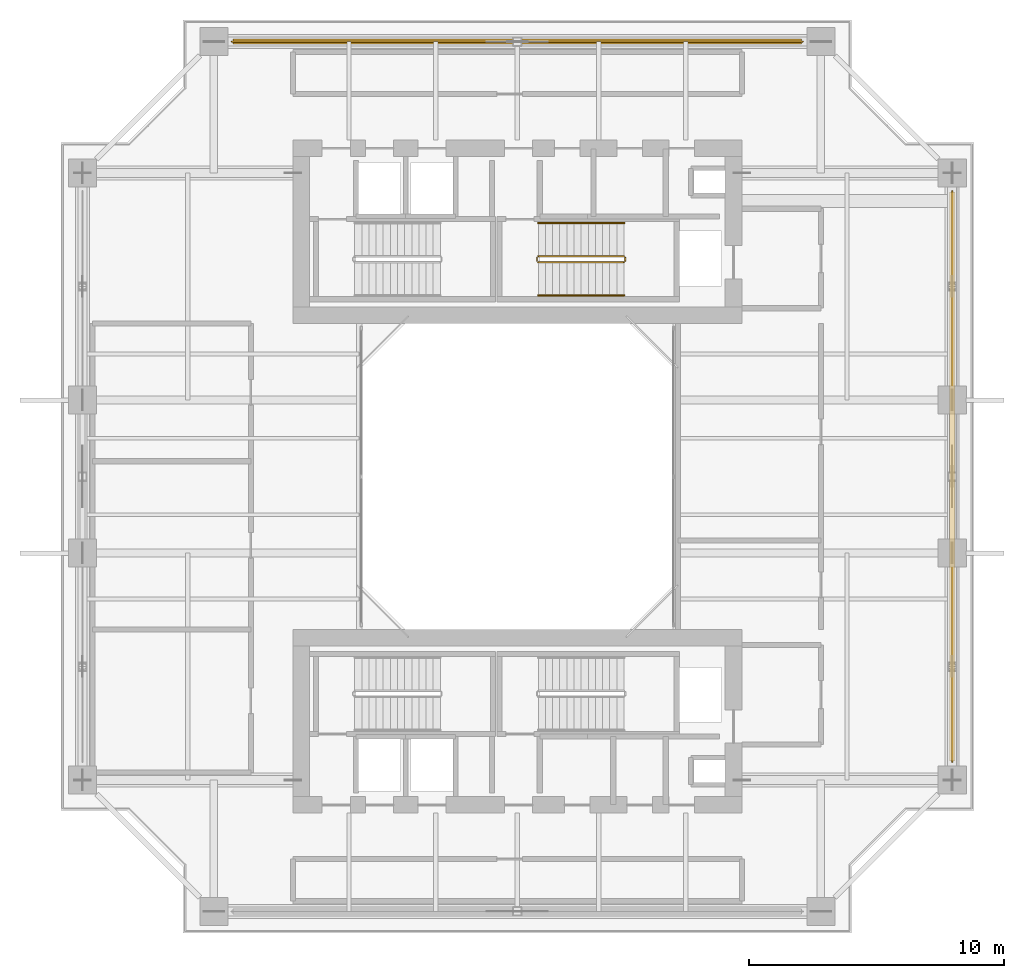
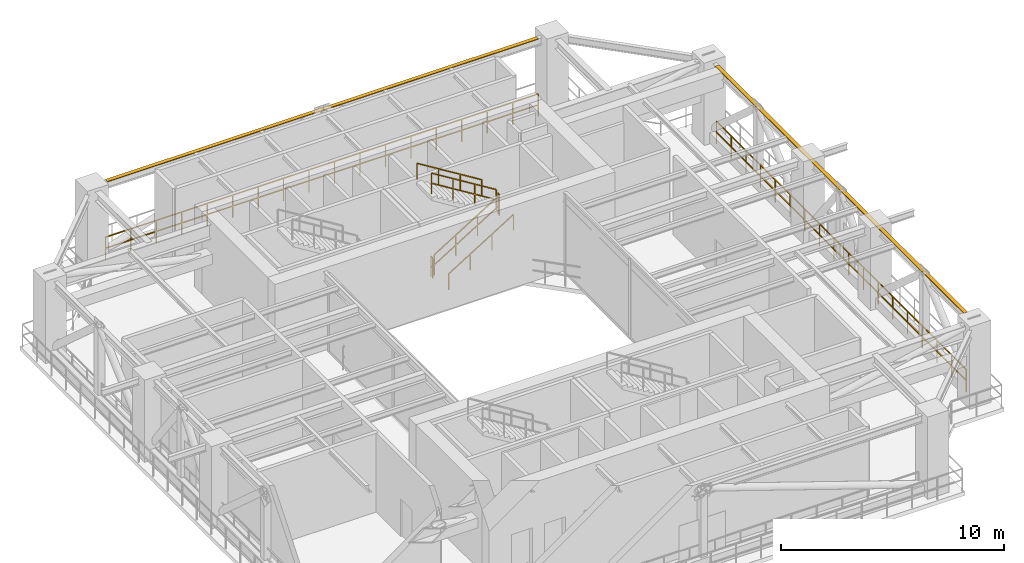
# One storey, part 11 of 11: 8 railings, 2 shading devices.
"""IFC4 building model written with IfcOpenShell, lengths in metres."""

from ifc_helpers import new_model, si_unit, direction, frame, origin, origin_2d, place, context, subcontext, project, spatial, rectangle, extrude, source, transform, mapped, material, material_profile, profile_set, type_object, element, save


model = new_model("IFC4")

# Units and contexts
model_context = context("Model", 3, precision=1e-05, world=origin(), true_north=direction((0.0, 1.0)))
body_context = subcontext(model_context, "Body", "Model", "MODEL_VIEW")
ifc_project = project(units=[si_unit("LENGTHUNIT", "METRE"), si_unit("AREAUNIT", "SQUARE_METRE"), si_unit("VOLUMEUNIT", "CUBIC_METRE"), si_unit("PLANEANGLEUNIT", "RADIAN"), si_unit("MASSUNIT", "GRAM", prefix="KILO"), si_unit("THERMODYNAMICTEMPERATUREUNIT", "KELVIN"), si_unit("POWERUNIT", "WATT")], contexts=[model_context])

# Site, building, storey
site_placement = place(None, origin())
site = spatial("IfcSite", under=ifc_project, at=site_placement, CompositionType="ELEMENT")
building_placement = place(site_placement, origin())
building = spatial("IfcBuilding", under=site, at=building_placement, Name="Qiaomeng Ring Towers", CompositionType="ELEMENT")
storey_placement = place(building_placement, frame((0.0, 0.0, 139.25)))
storey = spatial("IfcBuildingStorey", under=building, at=storey_placement, Name="L40", CompositionType="ELEMENT", Elevation=139.25)

# Railings
ifc_material_1 = material(Name="Stainless steel 316", Category="steel")
railing_type_1 = type_object("IfcRailingType", Name="ARC-RL-BAL2", PredefinedType="BALUSTRADE", material=ifc_material_1)
railing_1_placement = place(storey_placement, frame((30.199951171875, 40.050048828125, 0.0)))
element("IfcRailing", 1, at=railing_1_placement, inside=storey, type_object=railing_type_1, Name="L40 Open Refuge Band Perimeter Guard N", PredefinedType="BALUSTRADE", context=body_context, shape_type="SweptSolid", body=[
    extrude(rectangle(XDim=0.048095703125, YDim=0.048095703125, at=origin_2d()), frame((0.0, 0.0, 1.22607421875), z_axis=(-1.0, 0.0, 0.0), x_axis=(0.0, -1.0, 0.0)), (0.0, 0.0, 1.0), 22.39990234375),
    extrude(rectangle(XDim=0.048095703125, YDim=0.048095703125, at=origin_2d()), frame((0.0, 0.0, 0.625), z_axis=(-1.0, 0.0, 0.0), x_axis=(0.0, -1.0, 0.0)), (0.0, 0.0, 1.0), 22.39990234375),
    extrude(rectangle(XDim=0.0419921875, YDim=0.0419921875, at=origin_2d()), origin(), (0.0, 0.0, 1.0), 1.201904296875),
    extrude(rectangle(XDim=0.0419921875, YDim=0.0419921875, at=origin_2d()), frame((-1.317626953125, 0.0, 0.0)), (0.0, 0.0, 1.0), 1.201904296875),
    extrude(rectangle(XDim=0.0419921875, YDim=0.0419921875, at=origin_2d()), frame((-2.63525390625, 0.0, 0.0)), (0.0, 0.0, 1.0), 1.201904296875),
    extrude(rectangle(XDim=0.0419921875, YDim=0.0419921875, at=origin_2d()), frame((-3.952880859375, 0.0, 0.0)), (0.0, 0.0, 1.0), 1.201904296875),
    extrude(rectangle(XDim=0.0419921875, YDim=0.0419921875, at=origin_2d()), frame((-5.2705078125, 0.0, 0.0)), (0.0, 0.0, 1.0), 1.201904296875),
    extrude(rectangle(XDim=0.0419921875, YDim=0.0419921875, at=origin_2d()), frame((-6.588134765625, 0.0, 0.0)), (0.0, 0.0, 1.0), 1.201904296875),
    extrude(rectangle(XDim=0.0419921875, YDim=0.0419921875, at=origin_2d()), frame((-7.90576171875, 0.0, 0.0)), (0.0, 0.0, 1.0), 1.201904296875),
    extrude(rectangle(XDim=0.0419921875, YDim=0.0419921875, at=origin_2d()), frame((-9.223388671875, 0.0, 0.0)), (0.0, 0.0, 1.0), 1.201904296875),
    extrude(rectangle(XDim=0.0419921875, YDim=0.0419921875, at=origin_2d()), frame((-10.541015625, 0.0, 0.0)), (0.0, 0.0, 1.0), 1.201904296875),
    extrude(rectangle(XDim=0.0419921875, YDim=0.0419921875, at=origin_2d()), frame((-11.85888671875, 0.0, 0.0)), (0.0, 0.0, 1.0), 1.201904296875),
    extrude(rectangle(XDim=0.0419921875, YDim=0.0419921875, at=origin_2d()), frame((-13.176513671875, 0.0, 0.0)), (0.0, 0.0, 1.0), 1.201904296875),
    extrude(rectangle(XDim=0.0419921875, YDim=0.0419921875, at=origin_2d()), frame((-14.494140625, 0.0, 0.0)), (0.0, 0.0, 1.0), 1.201904296875),
    extrude(rectangle(XDim=0.0419921875, YDim=0.0419921875, at=origin_2d()), frame((-15.811767578125, 0.0, 0.0)), (0.0, 0.0, 1.0), 1.201904296875),
    extrude(rectangle(XDim=0.0419921875, YDim=0.0419921875, at=origin_2d()), frame((-17.12939453125, 0.0, 0.0)), (0.0, 0.0, 1.0), 1.201904296875),
    extrude(rectangle(XDim=0.0419921875, YDim=0.0419921875, at=origin_2d()), frame((-18.447021484375, 0.0, 0.0)), (0.0, 0.0, 1.0), 1.201904296875),
    extrude(rectangle(XDim=0.0419921875, YDim=0.0419921875, at=origin_2d()), frame((-19.7646484375, 0.0, 0.0)), (0.0, 0.0, 1.0), 1.201904296875),
    extrude(rectangle(XDim=0.0419921875, YDim=0.0419921875, at=origin_2d()), frame((-21.082275390625, 0.0, 0.0)), (0.0, 0.0, 1.0), 1.201904296875),
    extrude(rectangle(XDim=0.0419921875, YDim=0.0419921875, at=origin_2d()), frame((-22.39990234375, 0.0, 0.0)), (0.0, 0.0, 1.0), 1.201904296875),
])
railing_2_placement = place(storey_placement, frame((36.050048828125, 11.800048828125, 0.0)))
element("IfcRailing", 2, at=railing_2_placement, inside=storey, type_object=railing_type_1, Name="L40 Open Refuge Band Perimeter Guard E", PredefinedType="BALUSTRADE", context=body_context, shape_type="SweptSolid", body=[
    extrude(rectangle(XDim=0.048095703125, YDim=0.048095703125, at=origin_2d()), frame((0.0, 0.0, 1.22607421875), z_axis=(0.0, 1.0, 0.0), x_axis=(-1.0, 0.0, 0.0)), (0.0, 0.0, 1.0), 22.39990234375),
    extrude(rectangle(XDim=0.048095703125, YDim=0.048095703125, at=origin_2d()), frame((0.0, 0.0, 0.625), z_axis=(0.0, 1.0, 0.0), x_axis=(-1.0, 0.0, 0.0)), (0.0, 0.0, 1.0), 22.39990234375),
    extrude(rectangle(XDim=0.0419921875, YDim=0.0419921875, at=origin_2d()), origin(), (0.0, 0.0, 1.0), 1.201904296875),
    extrude(rectangle(XDim=0.0419921875, YDim=0.0419921875, at=origin_2d()), frame((0.0, 1.317626953125, 0.0)), (0.0, 0.0, 1.0), 1.201904296875),
    extrude(rectangle(XDim=0.0419921875, YDim=0.0419921875, at=origin_2d()), frame((0.0, 2.63525390625, 0.0)), (0.0, 0.0, 1.0), 1.201904296875),
    extrude(rectangle(XDim=0.0419921875, YDim=0.0419921875, at=origin_2d()), frame((0.0, 3.952880859375, 0.0)), (0.0, 0.0, 1.0), 1.201904296875),
    extrude(rectangle(XDim=0.0419921875, YDim=0.0419921875, at=origin_2d()), frame((0.0, 5.2705078125, 0.0)), (0.0, 0.0, 1.0), 1.201904296875),
    extrude(rectangle(XDim=0.0419921875, YDim=0.0419921875, at=origin_2d()), frame((0.0, 6.588134765625, 0.0)), (0.0, 0.0, 1.0), 1.201904296875),
    extrude(rectangle(XDim=0.0419921875, YDim=0.0419921875, at=origin_2d()), frame((0.0, 7.90576171875, 0.0)), (0.0, 0.0, 1.0), 1.201904296875),
    extrude(rectangle(XDim=0.0419921875, YDim=0.0419921875, at=origin_2d()), frame((0.0, 9.223388671875, 0.0)), (0.0, 0.0, 1.0), 1.201904296875),
    extrude(rectangle(XDim=0.0419921875, YDim=0.0419921875, at=origin_2d()), frame((0.0, 10.541015625, 0.0)), (0.0, 0.0, 1.0), 1.201904296875),
    extrude(rectangle(XDim=0.0419921875, YDim=0.0419921875, at=origin_2d()), frame((0.0, 11.85888671875, 0.0)), (0.0, 0.0, 1.0), 1.201904296875),
    extrude(rectangle(XDim=0.0419921875, YDim=0.0419921875, at=origin_2d()), frame((0.0, 13.176513671875, 0.0)), (0.0, 0.0, 1.0), 1.201904296875),
    extrude(rectangle(XDim=0.0419921875, YDim=0.0419921875, at=origin_2d()), frame((0.0, 14.494140625, 0.0)), (0.0, 0.0, 1.0), 1.201904296875),
    extrude(rectangle(XDim=0.0419921875, YDim=0.0419921875, at=origin_2d()), frame((0.0, 15.811767578125, 0.0)), (0.0, 0.0, 1.0), 1.201904296875),
    extrude(rectangle(XDim=0.0419921875, YDim=0.0419921875, at=origin_2d()), frame((0.0, 17.12939453125, 0.0)), (0.0, 0.0, 1.0), 1.201904296875),
    extrude(rectangle(XDim=0.0419921875, YDim=0.0419921875, at=origin_2d()), frame((0.0, 18.447021484375, 0.0)), (0.0, 0.0, 1.0), 1.201904296875),
    extrude(rectangle(XDim=0.0419921875, YDim=0.0419921875, at=origin_2d()), frame((0.0, 19.7646484375, 0.0)), (0.0, 0.0, 1.0), 1.201904296875),
    extrude(rectangle(XDim=0.0419921875, YDim=0.0419921875, at=origin_2d()), frame((0.0, 21.082275390625, 0.0)), (0.0, 0.0, 1.0), 1.201904296875),
    extrude(rectangle(XDim=0.0419921875, YDim=0.0419921875, at=origin_2d()), frame((0.0, 22.39990234375, 0.0)), (0.0, 0.0, 1.0), 1.201904296875),
])
ifc_material_2 = material(Name="Galvanised steel", Category="steel")
railing_type_2 = type_object("IfcRailingType", Name="ARC-RL-GUARD", PredefinedType="GUARDRAIL", material=ifc_material_2)
railing_3_placement = place(storey_placement, frame((19.820068359375, 31.39990234375, 0.173095703125)))
element("IfcRailing", 3, at=railing_3_placement, inside=storey, type_object=railing_type_2, Name="L40 ST2 stair guard 1", PredefinedType="GUARDRAIL", context=body_context, shape_type="SweptSolid", body=[
    extrude(rectangle(XDim=0.048095703125, YDim=0.048095703125, at=origin_2d()), frame((0.0, 0.0, 1.1259765625), z_axis=(0.850606129759, 0.0, 0.525803396734), x_axis=(0.0, 1.0, 0.0)), (0.0, 0.0, 1.0), 3.949951171875),
    extrude(rectangle(XDim=0.048095703125, YDim=0.048095703125, at=origin_2d()), frame((0.0, 0.0, 0.574951171875), z_axis=(0.850606129759, 0.0, 0.525803396734), x_axis=(0.0, 1.0, 0.0)), (0.0, 0.0, 1.0), 3.949951171875),
    extrude(rectangle(XDim=0.0419921875, YDim=0.0419921875, at=origin_2d()), origin(), (0.0, 0.0, 1.0), 1.101806640625),
    extrude(rectangle(XDim=0.0419921875, YDim=0.0419921875, at=origin_2d()), frame((1.119873046875, 0.0, 0.6923828125)), (0.0, 0.0, 1.0), 1.101806640625),
    extrude(rectangle(XDim=0.0419921875, YDim=0.0419921875, at=origin_2d()), frame((2.239990234375, 0.0, 1.384521484375)), (0.0, 0.0, 1.0), 1.101806640625),
    extrude(rectangle(XDim=0.0419921875, YDim=0.0419921875, at=origin_2d()), frame((3.35986328125, 0.0, 2.076904296875)), (0.0, 0.0, 1.0), 1.101806640625),
])
railing_4_placement = place(storey_placement, frame((23.22998046875, 31.449951171875, 2.25)))
element("IfcRailing", 4, at=railing_4_placement, inside=storey, type_object=railing_type_2, Name="L40 ST2 stair guard 2", PredefinedType="GUARDRAIL", context=body_context, shape_type="SweptSolid", body=[
    extrude(rectangle(XDim=0.048095703125, YDim=0.048095703125, at=origin_2d()), frame((0.0, 0.0, 1.1259765625), z_axis=(0.0, 1.0, 0.0), x_axis=(-1.0, 0.0, 0.0)), (0.0, 0.0, 1.0), 0.14013671875),
    extrude(rectangle(XDim=0.048095703125, YDim=0.048095703125, at=origin_2d()), frame((0.0, 0.0, 0.574951171875), z_axis=(0.0, 1.0, 0.0), x_axis=(-1.0, 0.0, 0.0)), (0.0, 0.0, 1.0), 0.14013671875),
    extrude(rectangle(XDim=0.0419921875, YDim=0.0419921875, at=origin_2d()), origin(), (0.0, 0.0, 1.0), 1.101806640625),
    extrude(rectangle(XDim=0.0419921875, YDim=0.0419921875, at=origin_2d()), frame((0.0, 0.14013671875, 0.0)), (0.0, 0.0, 1.0), 1.101806640625),
])
railing_5_placement = place(storey_placement, frame((23.179931640625, 31.639892578125, 2.423095703125)))
element("IfcRailing", 5, at=railing_5_placement, inside=storey, type_object=railing_type_2, Name="L40 ST2 stair guard 3", PredefinedType="GUARDRAIL", context=body_context, shape_type="SweptSolid", body=[
    extrude(rectangle(XDim=0.048095703125, YDim=0.048095703125, at=origin_2d()), frame((0.0, 0.0, 1.1259765625), z_axis=(-0.850606129759, 0.0, 0.525803396734), x_axis=(0.0, -1.0, 0.0)), (0.0, 0.0, 1.0), 3.949951171875),
    extrude(rectangle(XDim=0.048095703125, YDim=0.048095703125, at=origin_2d()), frame((0.0, 0.0, 0.574951171875), z_axis=(-0.850606129759, 0.0, 0.525803396734), x_axis=(0.0, -1.0, 0.0)), (0.0, 0.0, 1.0), 3.949951171875),
    extrude(rectangle(XDim=0.0419921875, YDim=0.0419921875, at=origin_2d()), origin(), (0.0, 0.0, 1.0), 1.101806640625),
    extrude(rectangle(XDim=0.0419921875, YDim=0.0419921875, at=origin_2d()), frame((-1.119873046875, 0.0, 0.6923828125)), (0.0, 0.0, 1.0), 1.101806640625),
    extrude(rectangle(XDim=0.0419921875, YDim=0.0419921875, at=origin_2d()), frame((-2.239990234375, 0.0, 1.384521484375)), (0.0, 0.0, 1.0), 1.101806640625),
    extrude(rectangle(XDim=0.0419921875, YDim=0.0419921875, at=origin_2d()), frame((-3.35986328125, 0.0, 2.076904296875)), (0.0, 0.0, 1.0), 1.101806640625),
])
railing_6_placement = place(storey_placement, frame((19.77001953125, 31.449951171875, 0.0)))
element("IfcRailing", 6, at=railing_6_placement, inside=storey, type_object=railing_type_2, Name="L40 ST2 stair guard 4", PredefinedType="GUARDRAIL", context=body_context, shape_type="SweptSolid", body=[
    extrude(rectangle(XDim=0.048095703125, YDim=0.048095703125, at=origin_2d()), frame((0.0, 0.0, 1.1259765625), z_axis=(0.0, 1.0, 0.0), x_axis=(-1.0, 0.0, 0.0)), (0.0, 0.0, 1.0), 0.14013671875),
    extrude(rectangle(XDim=0.048095703125, YDim=0.048095703125, at=origin_2d()), frame((0.0, 0.0, 0.574951171875), z_axis=(0.0, 1.0, 0.0), x_axis=(-1.0, 0.0, 0.0)), (0.0, 0.0, 1.0), 0.14013671875),
    extrude(rectangle(XDim=0.0419921875, YDim=0.0419921875, at=origin_2d()), origin(), (0.0, 0.0, 1.0), 1.101806640625),
    extrude(rectangle(XDim=0.0419921875, YDim=0.0419921875, at=origin_2d()), frame((0.0, 0.14013671875, 0.0)), (0.0, 0.0, 1.0), 1.101806640625),
])
railing_type_3 = type_object("IfcRailingType", Name="ARC-RL-HAND", PredefinedType="HANDRAIL", material=ifc_material_1)
railing_7_placement = place(storey_placement, frame((19.820068359375, 30.10009765625, 0.173095703125)))
element("IfcRailing", 7, at=railing_7_placement, inside=storey, type_object=railing_type_3, Name="L40 ST2 stair handrail 1", PredefinedType="HANDRAIL", context=body_context, shape_type="SweptSolid", body=[
    extrude(rectangle(XDim=0.048095703125, YDim=0.048095703125, at=origin_2d()), frame((0.0, 0.0, 0.8759765625), z_axis=(0.850606129759, 0.0, 0.525803396734), x_axis=(0.0, 1.0, 0.0)), (0.0, 0.0, 1.0), 3.949951171875),
    extrude(rectangle(XDim=0.0419921875, YDim=0.0419921875, at=origin_2d()), origin(), (0.0, 0.0, 1.0), 0.851806640625),
    extrude(rectangle(XDim=0.0419921875, YDim=0.0419921875, at=origin_2d()), frame((1.119873046875, 0.0, 0.6923828125)), (0.0, 0.0, 1.0), 0.851806640625),
    extrude(rectangle(XDim=0.0419921875, YDim=0.0419921875, at=origin_2d()), frame((2.239990234375, 0.0, 1.384521484375)), (0.0, 0.0, 1.0), 0.851806640625),
    extrude(rectangle(XDim=0.0419921875, YDim=0.0419921875, at=origin_2d()), frame((3.35986328125, 0.0, 2.076904296875)), (0.0, 0.0, 1.0), 0.851806640625),
])
railing_8_placement = place(storey_placement, frame((23.179931640625, 32.93994140625, 2.423095703125)))
element("IfcRailing", 8, at=railing_8_placement, inside=storey, type_object=railing_type_3, Name="L40 ST2 stair handrail 2", PredefinedType="HANDRAIL", context=body_context, shape_type="SweptSolid", body=[
    extrude(rectangle(XDim=0.048095703125, YDim=0.048095703125, at=origin_2d()), frame((0.0, 0.0, 0.8759765625), z_axis=(-0.850606129759, 0.0, 0.525803396734), x_axis=(0.0, -1.0, 0.0)), (0.0, 0.0, 1.0), 3.949951171875),
    extrude(rectangle(XDim=0.0419921875, YDim=0.0419921875, at=origin_2d()), origin(), (0.0, 0.0, 1.0), 0.851806640625),
    extrude(rectangle(XDim=0.0419921875, YDim=0.0419921875, at=origin_2d()), frame((-1.119873046875, 0.0, 0.6923828125)), (0.0, 0.0, 1.0), 0.851806640625),
    extrude(rectangle(XDim=0.0419921875, YDim=0.0419921875, at=origin_2d()), frame((-2.239990234375, 0.0, 1.384521484375)), (0.0, 0.0, 1.0), 0.851806640625),
    extrude(rectangle(XDim=0.0419921875, YDim=0.0419921875, at=origin_2d()), frame((-3.35986328125, 0.0, 2.076904296875)), (0.0, 0.0, 1.0), 0.851806640625),
])

# Shading devices
ifc_material_profile = material_profile(ifc_material_1, rectangle(XDim=0.199951171875, YDim=0.0400390625, at=origin_2d()), Name="LV BLADE 200x40")
ifc_profile_set = profile_set([ifc_material_profile], Name="Stainless steel 316")
shading_device_type = type_object("IfcShadingDeviceType", Name="ARC-SHD-LOUVRE", PredefinedType="JALOUSIE", material=ifc_profile_set)
shared_shape = source(origin(), body_context, "Body", "SweptSolid", [
    extrude(rectangle(XDim=0.199951171875, YDim=0.0400390625, at=origin_2d()), origin(), (0.0, 0.0, 1.0), 22.2998046875),
])
for number, where, z_axis, x_axis, name in (
    (9, (30.14990234375, 40.050048828125, 4.300048828125), (-1.0, 0.0, 0.0), (0.0, -1.0, 0.0), "L40 Stainless Acoustic Intake Louvre N"),
    (10, (36.050048828125, 11.85009765625, 4.300048828125), (0.0, 1.0, 0.0), (-1.0, 0.0, 0.0), "L40 Stainless Acoustic Intake Louvre E"),
):
    element("IfcShadingDevice", number, at=place(storey_placement, frame(where, z_axis=z_axis, x_axis=x_axis)), inside=storey, type_object=shading_device_type, Name=name, PredefinedType="JALOUSIE", context=body_context, shape_type="MappedRepresentation", body=[
        mapped(shared_shape, transform((0.0, 0.0, 0.0), x_axis=(1.0, 0.0, 0.0), y_axis=(0.0, 1.0, 0.0), z_axis=(0.0, 0.0, 1.0), scale=1.0)),
    ])

save(model, "model.ifc")
